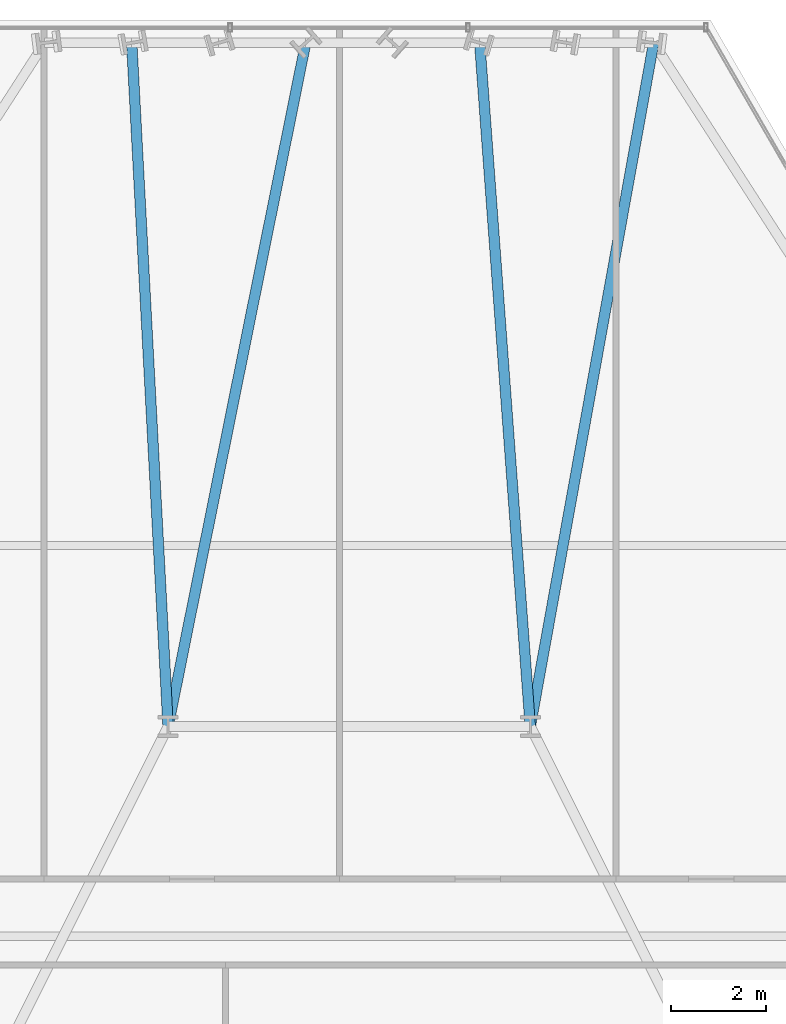
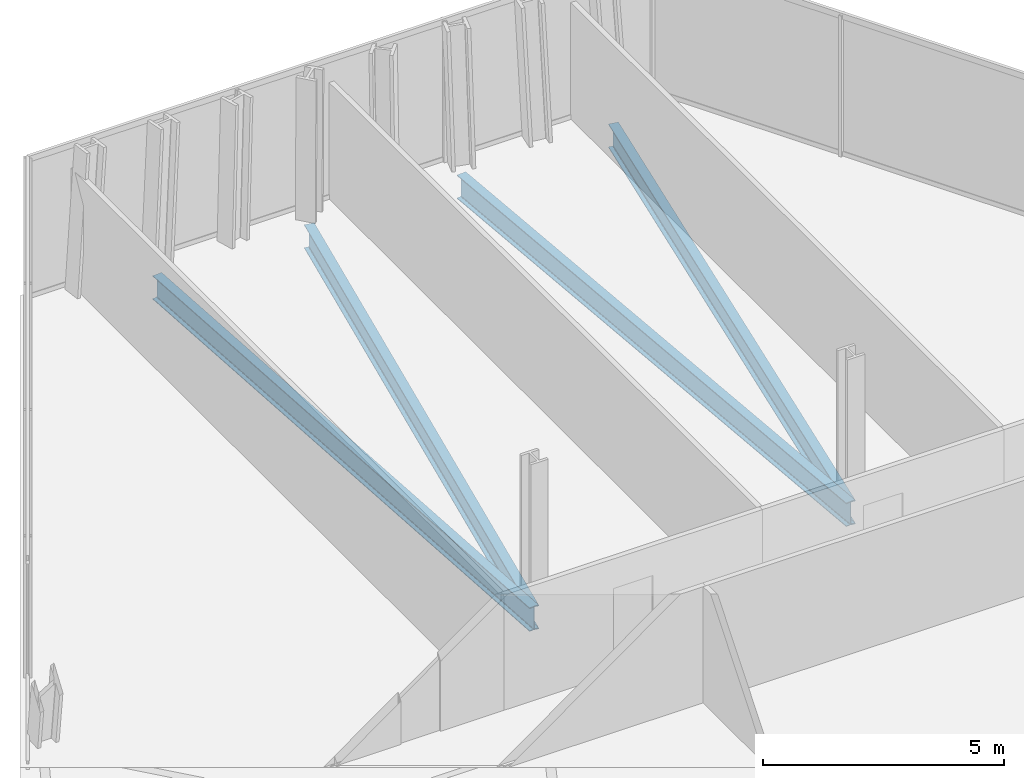
# One storey, part 23 of 32: 4 beams.
"""IFC4 building model written with IfcOpenShell, lengths in metres."""

from ifc_helpers import new_model, si_unit, direction, frame, origin, origin_2d, place, context, subcontext, project, spatial, i_section, extrude, material, material_profile, profile_set, type_object, element, save


model = new_model("IFC4")

# Units and contexts
model_context = context("Model", 3, precision=1e-05, world=origin(), true_north=direction((0.0, 1.0)))
body_context = subcontext(model_context, "Body", "Model", "MODEL_VIEW")
ifc_project = project(units=[si_unit("LENGTHUNIT", "METRE"), si_unit("AREAUNIT", "SQUARE_METRE"), si_unit("VOLUMEUNIT", "CUBIC_METRE"), si_unit("PLANEANGLEUNIT", "RADIAN"), si_unit("MASSUNIT", "GRAM", prefix="KILO")], contexts=[model_context])

# Site, building, storey
site_placement = place(None, origin())
site = spatial("IfcSite", under=ifc_project, at=site_placement, CompositionType="ELEMENT")
building_placement = place(site_placement, origin())
building = spatial("IfcBuilding", under=site, at=building_placement, Name="Ndaravel Arena Tower", CompositionType="ELEMENT")
storey_placement = place(building_placement, frame((0.0, 0.0, 77.800048828125)))
storey = spatial("IfcBuildingStorey", under=building, at=storey_placement, Name="L17", CompositionType="ELEMENT", Elevation=77.800048828125)

# Beams
ifc_material = material(Name="Steel S355", Category="steel")
ifc_material_profile = material_profile(ifc_material, i_section(OverallWidth=0.219970703125, OverallDepth=0.60009765625, WebThickness=0.011962890625, FlangeThickness=0.01904296875, FilletRadius=0.02392578125, at=origin_2d()), Name="IPE 600")
ifc_profile_set = profile_set([ifc_material_profile], Name="Steel S355")
beam_type = type_object("IfcBeamType", Name="BM-GIRD-IPE600", PredefinedType="BEAM", material=ifc_profile_set)
beam_1_placement = place(storey_placement, frame((48.38916015625, 45.545654296875, -0.52001953125), z_axis=(-0.177610445305, -0.984100873752, 0.0), x_axis=(0.984100873752, -0.177610445305, 0.0)))
element("IfcBeam", 1, at=beam_1_placement, inside=storey, type_object=beam_type, Name="L17 Radial Floor Girder FG-11", PredefinedType="BEAM", context=body_context, shape_type="SweptSolid", body=[
    extrude(i_section(OverallWidth=0.219970703125, OverallDepth=0.60009765625, WebThickness=0.011962890625, FlangeThickness=0.01904296875, FilletRadius=0.02392578125, at=origin_2d()), origin(), (0.0, 0.0, 1.0), 14.577392578125),
])
beam_2_placement = place(storey_placement, frame((44.73828125, 45.545654296875, -0.52001953125), z_axis=(0.073811044782, -0.997272244509, 0.0), x_axis=(0.997272244509, 0.073811044782, 0.0)))
element("IfcBeam", 2, at=beam_2_placement, inside=storey, type_object=beam_type, Name="L17 Radial Floor Girder FG-13", PredefinedType="BEAM", context=body_context, shape_type="SweptSolid", body=[
    extrude(i_section(OverallWidth=0.219970703125, OverallDepth=0.60009765625, WebThickness=0.011962890625, FlangeThickness=0.01904296875, FilletRadius=0.02392578125, at=origin_2d()), origin(), (0.0, 0.0, 1.0), 14.385009765625),
])
beam_3_placement = place(storey_placement, frame((41.08740234375, 45.545654296875, -0.52001953125), z_axis=(-0.197319145207, -0.980339306024, 0.0), x_axis=(0.980339306024, -0.197319145207, 0.0)))
element("IfcBeam", 3, at=beam_3_placement, inside=storey, type_object=beam_type, Name="L17 Radial Floor Girder FG-15", PredefinedType="BEAM", context=body_context, shape_type="SweptSolid", body=[
    extrude(i_section(OverallWidth=0.219970703125, OverallDepth=0.60009765625, WebThickness=0.011962890625, FlangeThickness=0.01904296875, FilletRadius=0.02392578125, at=origin_2d()), origin(), (0.0, 0.0, 1.0), 14.63330078125),
])
beam_4_placement = place(storey_placement, frame((37.436279296875, 45.545654296875, -0.52001953125), z_axis=(0.053158225442, -0.99858610198, 0.0), x_axis=(0.99858610198, 0.053158225442, 0.0)))
element("IfcBeam", 4, at=beam_4_placement, inside=storey, type_object=beam_type, Name="L17 Radial Floor Girder FG-17", PredefinedType="BEAM", context=body_context, shape_type="SweptSolid", body=[
    extrude(i_section(OverallWidth=0.219970703125, OverallDepth=0.60009765625, WebThickness=0.011962890625, FlangeThickness=0.01904296875, FilletRadius=0.02392578125, at=origin_2d()), origin(), (0.0, 0.0, 1.0), 14.365966796875),
])

save(model, "model.ifc")
